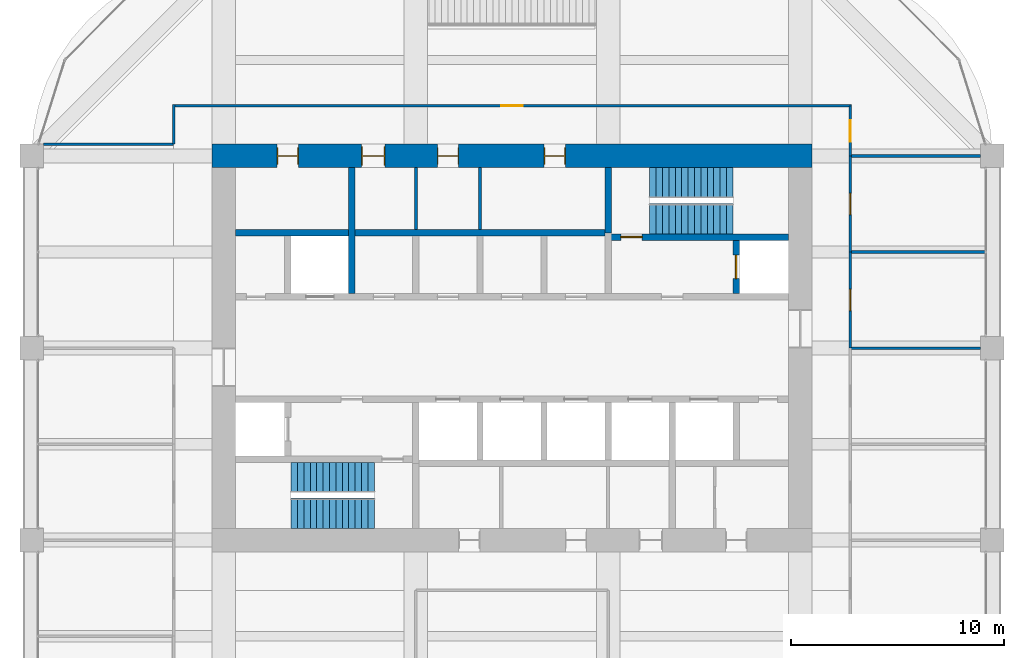
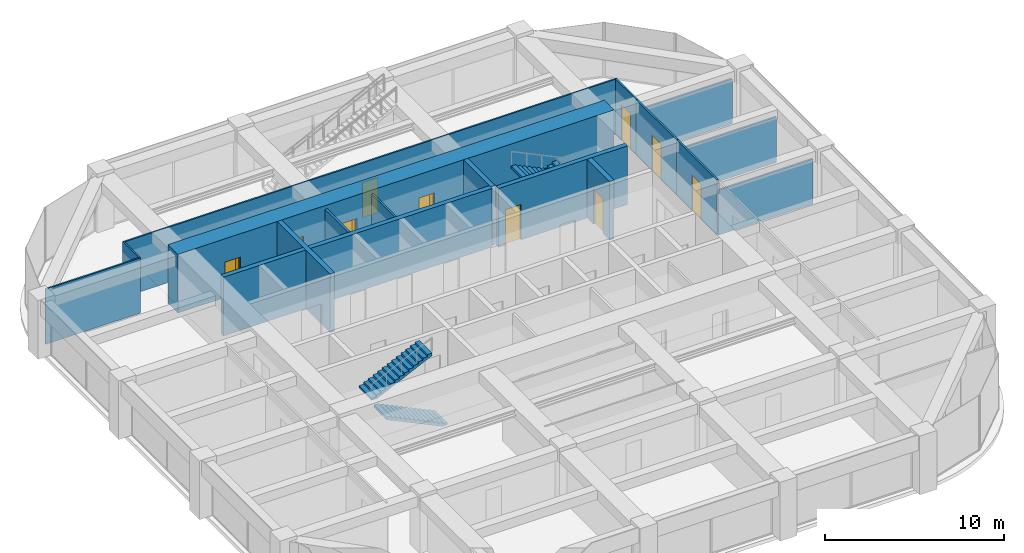
# One storey, part 43 of 45: 17 walls, 10 doors, 4 stair flights, 10 openings, 2 elements without a shape of their own.
"""IFC4 building model written with IfcOpenShell, lengths in metres."""

from ifc_helpers import new_model, si_unit, direction, frame, frame_2d, origin, place, context, subcontext, project, spatial, polyline, rectangle, outline, extrude, material, layer, layer_set, type_object, element, fill, aggregate, save


model = new_model("IFC4")

# Units and contexts
model_context = context("Model", 3, precision=1e-05, world=origin(), true_north=direction((0.0, 1.0)))
body_context = subcontext(model_context, "Body", "Model", "MODEL_VIEW")
ifc_project = project(units=[si_unit("LENGTHUNIT", "METRE"), si_unit("AREAUNIT", "SQUARE_METRE"), si_unit("VOLUMEUNIT", "CUBIC_METRE"), si_unit("PLANEANGLEUNIT", "RADIAN"), si_unit("MASSUNIT", "GRAM", prefix="KILO")], contexts=[model_context])

# Site, building, storey
site_placement = place(None, origin())
site = spatial("IfcSite", under=ifc_project, at=site_placement, CompositionType="ELEMENT")
building_placement = place(site_placement, origin())
building = spatial("IfcBuilding", under=site, at=building_placement, Name="Zorevar Civic Tower", CompositionType="ELEMENT")
storey_placement = place(building_placement, frame((0.0, 0.0, 291.39990234375)))
storey = spatial("IfcBuildingStorey", under=building, at=storey_placement, Name="L71", CompositionType="ELEMENT", Elevation=291.39990234375)

# Wall, openings, doors
ifc_material_1 = material(Name="Concrete C50/60", Category="concrete")
ifc_layer_1 = layer(ifc_material_1, 1.10009765625)
ifc_layer_set_1 = layer_set([ifc_layer_1], Name="Core wall 1100")
wall_type_1 = type_object("IfcWallType", Name="Core wall 1100", PredefinedType="SHEAR", material=ifc_layer_set_1)
wall_1_placement = place(storey_placement, frame((45.550048828125, 36.0, 0.0), z_axis=(0.0, 0.0, 1.0), x_axis=(-1.0, 0.0, 0.0)))
wall_1 = element("IfcWall", 1, at=wall_1_placement, inside=storey, type_object=wall_type_1, Name="Core wall N L71", PredefinedType="SHEAR", context=body_context, shape_type="SweptSolid", body=[
    extrude(rectangle(XDim=28.10009765625, YDim=1.10009765625, at=frame_2d((14.050048828125, 0.0))), origin(), (0.0, 0.0, 1.0), 4.0),
])
opening_1_placement = place(wall_1_placement, frame((11.550048828125, 0.0, 0.0)))
opening_1 = element("IfcOpeningElement", 2, at=opening_1_placement, cuts=wall_1, Name="Opening L71.07", PredefinedType="OPENING", context=body_context, shape_type="SweptSolid", body=[
    extrude(rectangle(XDim=1.0, YDim=2.39990234375, at=frame_2d((0.5, 1.199951171875))), frame((0.0, 0.56005859375, 0.0), z_axis=(0.0, -1.0, 0.0), x_axis=(1.0, 0.0, 0.0)), (0.0, 0.0, 1.0), 1.1201171875),
])
opening_2_placement = place(wall_1_placement, frame((16.550048828125, 0.0, 0.0)))
opening_2 = element("IfcOpeningElement", 3, at=opening_2_placement, cuts=wall_1, Name="Opening L71.08", PredefinedType="OPENING", context=body_context, shape_type="SweptSolid", body=[
    extrude(rectangle(XDim=1.0, YDim=2.39990234375, at=frame_2d((0.5, 1.199951171875))), frame((0.0, 0.56005859375, 0.0), z_axis=(0.0, -1.0, 0.0), x_axis=(1.0, 0.0, 0.0)), (0.0, 0.0, 1.0), 1.1201171875),
])
opening_3_placement = place(wall_1_placement, frame((20.0, 0.0, 0.0)))
opening_3 = element("IfcOpeningElement", 4, at=opening_3_placement, cuts=wall_1, Name="Opening L71.09", PredefinedType="OPENING", context=body_context, shape_type="SweptSolid", body=[
    extrude(rectangle(XDim=1.10009765625, YDim=2.39990234375, at=frame_2d((0.550048828125, 1.199951171875))), frame((0.0, 0.56005859375, 0.0), z_axis=(0.0, -1.0, 0.0), x_axis=(1.0, 0.0, 0.0)), (0.0, 0.0, 1.0), 1.1201171875),
])
opening_4_placement = place(wall_1_placement, frame((24.050048828125, 0.0, 0.0)))
opening_4 = element("IfcOpeningElement", 5, at=opening_4_placement, cuts=wall_1, Name="Opening L71.10", PredefinedType="OPENING", context=body_context, shape_type="SweptSolid", body=[
    extrude(rectangle(XDim=1.0, YDim=2.39990234375, at=frame_2d((0.5, 1.199951171875))), frame((0.0, 0.56005859375, 0.0), z_axis=(0.0, -1.0, 0.0), x_axis=(1.0, 0.0, 0.0)), (0.0, 0.0, 1.0), 1.1201171875),
])
ifc_material_2 = material(Name="Timber door set", Category="wood")
door_type_1 = type_object("IfcDoorType", Name="Door D1 1000x2400", OperationType="SINGLE_SWING_LEFT", PredefinedType="DOOR", material=ifc_material_2)
door_1_placement = place(opening_1_placement, origin())
door_1 = element("IfcDoor", 6, at=door_1_placement, inside=storey, type_object=door_type_1, Name="Door L71 06", OperationType="SINGLE_SWING_LEFT", OverallHeight=2.39990234375, OverallWidth=1.0, PredefinedType="DOOR", context=body_context, shape_type="SweptSolid", body=[
    extrude(rectangle(XDim=1.0, YDim=2.39990234375, at=frame_2d((0.5, 1.199951171875))), frame((0.0, 0.02490234375, 0.0), z_axis=(0.0, -1.0, 0.0), x_axis=(1.0, 0.0, 0.0)), (0.0, 0.0, 1.0), 0.050048828125),
    extrude(rectangle(XDim=0.04, YDim=2.39990234375, at=frame_2d((0.02001953125, 1.199951171875))), frame((0.0, 0.39990234375, 0.0), z_axis=(0.0, -1.0, 0.0), x_axis=(1.0, 0.0, 0.0)), (0.0, 0.0, 1.0), 0.800048828125),
    extrude(rectangle(XDim=0.04, YDim=2.39990234375, at=frame_2d((0.97998046875, 1.199951171875))), frame((0.0, 0.39990234375, 0.0), z_axis=(0.0, -1.0, 0.0), x_axis=(1.0, 0.0, 0.0)), (0.0, 0.0, 1.0), 0.800048828125),
    extrude(rectangle(XDim=1.0, YDim=0.04, at=frame_2d((0.5, 2.3798828125))), frame((0.0, 0.39990234375, 0.0), z_axis=(0.0, -1.0, 0.0), x_axis=(1.0, 0.0, 0.0)), (0.0, 0.0, 1.0), 0.800048828125),
])
fill(opening_1, door_1)
door_2_placement = place(opening_2_placement, origin())
door_2 = element("IfcDoor", 7, at=door_2_placement, inside=storey, type_object=door_type_1, Name="Door L71 07", OperationType="SINGLE_SWING_RIGHT", OverallHeight=2.39990234375, OverallWidth=1.0, PredefinedType="DOOR", context=body_context, shape_type="SweptSolid", body=[
    extrude(rectangle(XDim=1.0, YDim=2.39990234375, at=frame_2d((0.5, 1.199951171875))), frame((0.0, 0.02490234375, 0.0), z_axis=(0.0, -1.0, 0.0), x_axis=(1.0, 0.0, 0.0)), (0.0, 0.0, 1.0), 0.050048828125),
    extrude(rectangle(XDim=0.04, YDim=2.39990234375, at=frame_2d((0.02001953125, 1.199951171875))), frame((0.0, 0.39990234375, 0.0), z_axis=(0.0, -1.0, 0.0), x_axis=(1.0, 0.0, 0.0)), (0.0, 0.0, 1.0), 0.800048828125),
    extrude(rectangle(XDim=0.04, YDim=2.39990234375, at=frame_2d((0.97998046875, 1.199951171875))), frame((0.0, 0.39990234375, 0.0), z_axis=(0.0, -1.0, 0.0), x_axis=(1.0, 0.0, 0.0)), (0.0, 0.0, 1.0), 0.800048828125),
    extrude(rectangle(XDim=1.0, YDim=0.04, at=frame_2d((0.5, 2.3798828125))), frame((0.0, 0.39990234375, 0.0), z_axis=(0.0, -1.0, 0.0), x_axis=(1.0, 0.0, 0.0)), (0.0, 0.0, 1.0), 0.800048828125),
])
fill(opening_2, door_2)
door_3_placement = place(opening_4_placement, origin())
door_3 = element("IfcDoor", 8, at=door_3_placement, inside=storey, type_object=door_type_1, Name="Door L71 09", OperationType="SINGLE_SWING_RIGHT", OverallHeight=2.39990234375, OverallWidth=1.0, PredefinedType="DOOR", context=body_context, shape_type="SweptSolid", body=[
    extrude(rectangle(XDim=1.0, YDim=2.39990234375, at=frame_2d((0.5, 1.199951171875))), frame((0.0, 0.02490234375, 0.0), z_axis=(0.0, -1.0, 0.0), x_axis=(1.0, 0.0, 0.0)), (0.0, 0.0, 1.0), 0.050048828125),
    extrude(rectangle(XDim=0.04, YDim=2.39990234375, at=frame_2d((0.02001953125, 1.199951171875))), frame((0.0, 0.39990234375, 0.0), z_axis=(0.0, -1.0, 0.0), x_axis=(1.0, 0.0, 0.0)), (0.0, 0.0, 1.0), 0.800048828125),
    extrude(rectangle(XDim=0.04, YDim=2.39990234375, at=frame_2d((0.97998046875, 1.199951171875))), frame((0.0, 0.39990234375, 0.0), z_axis=(0.0, -1.0, 0.0), x_axis=(1.0, 0.0, 0.0)), (0.0, 0.0, 1.0), 0.800048828125),
    extrude(rectangle(XDim=1.0, YDim=0.04, at=frame_2d((0.5, 2.3798828125))), frame((0.0, 0.39990234375, 0.0), z_axis=(0.0, -1.0, 0.0), x_axis=(1.0, 0.0, 0.0)), (0.0, 0.0, 1.0), 0.800048828125),
])
fill(opening_4, door_3)
ifc_material_3 = material(Name="Timber door set", Category="wood")
door_type_2 = type_object("IfcDoorType", Name="Door D5 1100x2400", OperationType="SINGLE_SWING_LEFT", PredefinedType="DOOR", material=ifc_material_3)
door_4_placement = place(opening_3_placement, origin())
door_4 = element("IfcDoor", 9, at=door_4_placement, inside=storey, type_object=door_type_2, Name="Door L71 08", OperationType="SINGLE_SWING_RIGHT", OverallHeight=2.39990234375, OverallWidth=1.10009765625, PredefinedType="DOOR", context=body_context, shape_type="SweptSolid", body=[
    extrude(rectangle(XDim=1.10009765625, YDim=2.39990234375, at=frame_2d((0.550048828125, 1.199951171875))), frame((0.0, 0.02490234375, 0.0), z_axis=(0.0, -1.0, 0.0), x_axis=(1.0, 0.0, 0.0)), (0.0, 0.0, 1.0), 0.050048828125),
    extrude(rectangle(XDim=0.04, YDim=2.39990234375, at=frame_2d((0.02001953125, 1.199951171875))), frame((0.0, 0.43994140625, 0.0), z_axis=(0.0, -1.0, 0.0), x_axis=(1.0, 0.0, 0.0)), (0.0, 0.0, 1.0), 0.880126953125),
    extrude(rectangle(XDim=0.04, YDim=2.39990234375, at=frame_2d((1.080078125, 1.199951171875))), frame((0.0, 0.43994140625, 0.0), z_axis=(0.0, -1.0, 0.0), x_axis=(1.0, 0.0, 0.0)), (0.0, 0.0, 1.0), 0.880126953125),
    extrude(rectangle(XDim=1.10009765625, YDim=0.04, at=frame_2d((0.550048828125, 2.3798828125))), frame((0.0, 0.43994140625, 0.0), z_axis=(0.0, -1.0, 0.0), x_axis=(1.0, 0.0, 0.0)), (0.0, 0.0, 1.0), 0.880126953125),
])
fill(opening_3, door_4)

# Wall
ifc_material_4 = material(Name="Laminated glass in black aluminium frame", Category="aluminium")
ifc_layer_2 = layer(ifc_material_4, 0.10009765625)
ifc_layer_set_2 = layer_set([ifc_layer_2], Name="Glazed partition 100")
wall_type_2 = type_object("IfcWallType", Name="Glazed partition 100", PredefinedType="PARTITIONING", material=ifc_layer_set_2)
wall_2_placement = place(storey_placement, frame((9.550048828125, 36.550048828125, 0.0), z_axis=(0.0, 0.0, 1.0), x_axis=(1.0, 0.0, 0.0)))
element("IfcWall", 10, at=wall_2_placement, inside=storey, type_object=wall_type_2, Name="Glazed partition 100 L71", PredefinedType="PARTITIONING", context=body_context, shape_type="SweptSolid", body=[
    extrude(rectangle(XDim=6.099853515625, YDim=0.10009765625, at=frame_2d((3.0498046875, 0.0))), origin(), (0.0, 0.0, 1.0), 3.75),
])

# Wall, opening, door
wall_3_placement = place(storey_placement, frame((15.60009765625, 38.35009765625, 0.0), z_axis=(0.0, 0.0, 1.0), x_axis=(1.0, 0.0, 0.0)))
wall_3 = element("IfcWall", 11, at=wall_3_placement, inside=storey, type_object=wall_type_2, Name="Glazed partition 100 L71", PredefinedType="PARTITIONING", context=body_context, shape_type="SweptSolid", body=[
    extrude(rectangle(XDim=31.7998046875, YDim=0.10009765625, at=frame_2d((15.89990234375, 0.0))), origin(), (0.0, 0.0, 1.0), 3.75),
])
opening_5_placement = place(wall_3_placement, frame((15.39990234375, 0.0, 0.0)))
opening_5 = element("IfcOpeningElement", 12, at=opening_5_placement, cuts=wall_3, Name="Opening L71.22", PredefinedType="OPENING", context=body_context, shape_type="SweptSolid", body=[
    extrude(rectangle(XDim=1.0, YDim=2.39990234375, at=frame_2d((0.5, 1.199951171875))), frame((0.0, 0.06005859375, 0.0), z_axis=(0.0, -1.0, 0.0), x_axis=(1.0, 0.0, 0.0)), (0.0, 0.0, 1.0), 0.1201171875),
])
ifc_material_5 = material(Name="Timber door set", Category="wood")
door_type_3 = type_object("IfcDoorType", Name="Glazed door GD1 1000x2400", OperationType="SINGLE_SWING_LEFT", PredefinedType="DOOR", material=ifc_material_5)
door_5_placement = place(opening_5_placement, origin())
door_5 = element("IfcDoor", 13, at=door_5_placement, inside=storey, type_object=door_type_3, Name="Door L71 D1", OperationType="SINGLE_SWING_RIGHT", OverallHeight=2.39990234375, OverallWidth=1.0, PredefinedType="DOOR", context=body_context, shape_type="SweptSolid", body=[
    extrude(rectangle(XDim=1.0, YDim=2.39990234375, at=frame_2d((0.5, 1.199951171875))), frame((0.0, 0.02001953125, 0.0), z_axis=(0.0, -1.0, 0.0), x_axis=(1.0, 0.0, 0.0)), (0.0, 0.0, 1.0), 0.0400390625),
])
fill(opening_5, door_5)

# Wall
wall_4_placement = place(storey_placement, frame((15.64990234375, 36.550048828125, 0.0), z_axis=(0.0, 0.0, 1.0), x_axis=(0.0, 1.0, 0.0)))
element("IfcWall", 14, at=wall_4_placement, inside=storey, type_object=wall_type_2, Name="Glazed partition 100 L71", PredefinedType="PARTITIONING", context=body_context, shape_type="SweptSolid", body=[
    extrude(rectangle(XDim=1.849853515625, YDim=0.10009765625, at=frame_2d((0.9248046875, 0.0))), origin(), (0.0, 0.0, 1.0), 3.75),
])

# Wall, opening, door
wall_5_placement = place(storey_placement, frame((47.35009765625, 36.0, 0.0), z_axis=(0.0, 0.0, 1.0), x_axis=(0.0, 1.0, 0.0)))
wall_5 = element("IfcWall", 15, at=wall_5_placement, inside=storey, type_object=wall_type_2, Name="Glazed partition 100 L71", PredefinedType="PARTITIONING", context=body_context, shape_type="SweptSolid", body=[
    extrude(rectangle(XDim=2.35009765625, YDim=0.10009765625, at=frame_2d((1.175048828125, 0.0))), origin(), (0.0, 0.0, 1.0), 3.75),
])
opening_6_placement = place(wall_5_placement, frame((0.675048828125, 0.0, 0.0)))
opening_6 = element("IfcOpeningElement", 16, at=opening_6_placement, cuts=wall_5, Name="Opening L71.33", PredefinedType="OPENING", context=body_context, shape_type="SweptSolid", body=[
    extrude(rectangle(XDim=1.0, YDim=2.39990234375, at=frame_2d((0.5, 1.199951171875))), frame((0.0, 0.06005859375, 0.0), z_axis=(0.0, -1.0, 0.0), x_axis=(1.0, 0.0, 0.0)), (0.0, 0.0, 1.0), 0.1201171875),
])
door_6_placement = place(opening_6_placement, origin())
door_6 = element("IfcDoor", 17, at=door_6_placement, inside=storey, type_object=door_type_3, Name="Door L71 D1", OperationType="SINGLE_SWING_LEFT", OverallHeight=2.39990234375, OverallWidth=1.0, PredefinedType="DOOR", context=body_context, shape_type="SweptSolid", body=[
    extrude(rectangle(XDim=1.0, YDim=2.39990234375, at=frame_2d((0.5, 1.199951171875))), frame((0.0, 0.02001953125, 0.0), z_axis=(0.0, -1.0, 0.0), x_axis=(1.0, 0.0, 0.0)), (0.0, 0.0, 1.0), 0.0400390625),
])
fill(opening_6, door_6)

ifc_material_6 = material(Name="Concrete C40/50", Category="concrete")
ifc_layer_3 = layer(ifc_material_6, 0.300048828125)
ifc_layer_set_3 = layer_set([ifc_layer_3], Name="Inner core wall 300")
wall_type_3 = type_object("IfcWallType", Name="Inner core wall 300", PredefinedType="SHEAR", material=ifc_layer_set_3)
wall_6_placement = place(storey_placement, frame((36.14990234375, 32.199951171875, 0.0), z_axis=(0.0, 0.0, 1.0), x_axis=(1.0, 0.0, 0.0)))
wall_6 = element("IfcWall", 18, at=wall_6_placement, inside=storey, type_object=wall_type_3, Name="Inner core wall N00 L71", PredefinedType="SHEAR", context=body_context, shape_type="SweptSolid", body=[
    extrude(rectangle(XDim=8.300048828125, YDim=0.300048828125, at=frame_2d((4.14990234375, 0.0))), origin(), (0.0, 0.0, 1.0), 4.0),
])
opening_7_placement = place(wall_6_placement, frame((0.449951171875, 0.0, 0.0)))
opening_7 = element("IfcOpeningElement", 19, at=opening_7_placement, cuts=wall_6, Name="Opening L71.12", PredefinedType="OPENING", context=body_context, shape_type="SweptSolid", body=[
    extrude(rectangle(XDim=1.0, YDim=2.39990234375, at=frame_2d((0.5, 1.199951171875))), frame((0.0, 0.159912109375, 0.0), z_axis=(0.0, -1.0, 0.0), x_axis=(1.0, 0.0, 0.0)), (0.0, 0.0, 1.0), 0.320068359375),
])
ifc_material_7 = material(Name="Steel door set", Category="steel")
door_type_4 = type_object("IfcDoorType", Name="Fire door FD1 1000x2400", OperationType="SINGLE_SWING_LEFT", PredefinedType="DOOR", material=ifc_material_7)
door_7_placement = place(opening_7_placement, origin())
door_7 = element("IfcDoor", 20, at=door_7_placement, inside=storey, type_object=door_type_4, Name="Door L71 11", OperationType="SINGLE_SWING_RIGHT", OverallHeight=2.39990234375, OverallWidth=1.0, PredefinedType="DOOR", context=body_context, shape_type="SweptSolid", body=[
    extrude(rectangle(XDim=1.0, YDim=2.39990234375, at=frame_2d((0.5, 1.199951171875))), frame((0.0, 0.030029296875, 0.0), z_axis=(0.0, -1.0, 0.0), x_axis=(1.0, 0.0, 0.0)), (0.0, 0.0, 1.0), 0.06005859375),
])
fill(opening_7, door_7)

# Wall
wall_7_placement = place(storey_placement, frame((36.0, 32.39990234375, 0.0), z_axis=(0.0, 0.0, 1.0), x_axis=(0.0, 1.0, 0.0)))
element("IfcWall", 21, at=wall_7_placement, inside=storey, type_object=wall_type_3, Name="Inner core wall N01 L71", PredefinedType="SHEAR", context=body_context, shape_type="SweptSolid", body=[
    extrude(rectangle(XDim=3.050048828125, YDim=0.300048828125, at=frame_2d((1.52490234375, 0.0))), origin(), (0.0, 0.0, 1.0), 4.0),
])

# Wall, opening, door
wall_8_placement = place(storey_placement, frame((42.0, 29.550048828125, 0.0), z_axis=(0.0, 0.0, 1.0), x_axis=(0.0, 1.0, 0.0)))
wall_8 = element("IfcWall", 22, at=wall_8_placement, inside=storey, type_object=wall_type_3, Name="Inner core wall N02 L71", PredefinedType="SHEAR", context=body_context, shape_type="SweptSolid", body=[
    extrude(rectangle(XDim=2.5, YDim=0.300048828125, at=frame_2d((1.25, 0.0))), origin(), (0.0, 0.0, 1.0), 4.0),
])
opening_8_placement = place(wall_8_placement, frame((0.699951171875, 0.0, 0.0)))
opening_8 = element("IfcOpeningElement", 23, at=opening_8_placement, cuts=wall_8, Name="Opening L71.FL2", PredefinedType="OPENING", context=body_context, shape_type="SweptSolid", body=[
    extrude(rectangle(XDim=1.10009765625, YDim=2.39990234375, at=frame_2d((0.550048828125, 1.199951171875))), frame((0.0, 0.159912109375, 0.0), z_axis=(0.0, -1.0, 0.0), x_axis=(1.0, 0.0, 0.0)), (0.0, 0.0, 1.0), 0.320068359375),
])
ifc_material_8 = material(Name="Steel door set", Category="steel")
door_type_5 = type_object("IfcDoorType", Name="Firefighting lift landing door LD3 1100x2400", OperationType="DOUBLE_DOOR_SLIDING", PredefinedType="DOOR", material=ifc_material_8)
door_8_placement = place(opening_8_placement, origin())
door_8 = element("IfcDoor", 24, at=door_8_placement, inside=storey, type_object=door_type_5, Name="Landing door FL2 L71", OperationType="DOUBLE_DOOR_SLIDING", OverallHeight=2.39990234375, OverallWidth=1.10009765625, PredefinedType="DOOR", context=body_context, shape_type="SweptSolid", body=[
    extrude(rectangle(XDim=1.10009765625, YDim=2.39990234375, at=frame_2d((0.550048828125, 1.199951171875))), frame((0.0, 0.030029296875, 0.0), z_axis=(0.0, -1.0, 0.0), x_axis=(1.0, 0.0, 0.0)), (0.0, 0.0, 1.0), 0.06005859375),
])
fill(opening_8, door_8)

# Walls
wall_9_placement = place(storey_placement, frame((18.550048828125, 32.39990234375, 0.0), z_axis=(0.0, 0.0, 1.0), x_axis=(1.0, 0.0, 0.0)))
element("IfcWall", 25, at=wall_9_placement, inside=storey, type_object=wall_type_3, Name="Inner core wall N04 L71", PredefinedType="SHEAR", context=body_context, shape_type="SweptSolid", body=[
    extrude(rectangle(XDim=17.300048828125, YDim=0.300048828125, at=frame_2d((8.64990234375, 0.0))), origin(), (0.0, 0.0, 1.0), 4.0),
])
wall_10_placement = place(storey_placement, frame((24.0, 29.550048828125, 0.0), z_axis=(0.0, 0.0, 1.0), x_axis=(0.0, 1.0, 0.0)))
element("IfcWall", 26, at=wall_10_placement, inside=storey, type_object=wall_type_3, Name="Inner core wall N08 L71", PredefinedType="SHEAR", context=body_context, shape_type="SweptSolid", body=[
    extrude(rectangle(XDim=5.89990234375, YDim=0.300048828125, at=frame_2d((2.949951171875, 0.0))), origin(), (0.0, 0.0, 1.0), 4.0),
])
ifc_material_9 = material(Name="Gypsum board on steel studs", Category="steel")
ifc_layer_4 = layer(ifc_material_9, 0.1201171875)
ifc_layer_set_4 = layer_set([ifc_layer_4], Name="Partition 120")
wall_type_4 = type_object("IfcWallType", Name="Partition 120", PredefinedType="PARTITIONING", material=ifc_layer_set_4)
wall_11_placement = place(storey_placement, frame((47.35009765625, 27.0, 0.0), z_axis=(0.0, 0.0, 1.0), x_axis=(1.0, 0.0, 0.0)))
element("IfcWall", 27, at=wall_11_placement, inside=storey, type_object=wall_type_4, Name="Partition 120 L71", PredefinedType="PARTITIONING", context=body_context, shape_type="SweptSolid", body=[
    extrude(rectangle(XDim=6.099853515625, YDim=0.1201171875, at=frame_2d((3.0498046875, 0.0))), origin(), (0.0, 0.0, 1.0), 3.050048828125),
])
wall_12_placement = place(storey_placement, frame((47.35009765625, 31.5, 0.0), z_axis=(0.0, 0.0, 1.0), x_axis=(1.0, 0.0, 0.0)))
element("IfcWall", 28, at=wall_12_placement, inside=storey, type_object=wall_type_4, Name="Partition 120 L71", PredefinedType="PARTITIONING", context=body_context, shape_type="SweptSolid", body=[
    extrude(rectangle(XDim=6.33984375, YDim=0.1201171875, at=frame_2d((3.169921875, 0.0))), origin(), (0.0, 0.0, 1.0), 3.10009765625),
])
wall_13_placement = place(storey_placement, frame((47.35009765625, 36.0, 0.0), z_axis=(0.0, 0.0, 1.0), x_axis=(1.0, 0.0, 0.0)))
element("IfcWall", 29, at=wall_13_placement, inside=storey, type_object=wall_type_4, Name="Partition 120 L71", PredefinedType="PARTITIONING", context=body_context, shape_type="SweptSolid", body=[
    extrude(rectangle(XDim=6.099853515625, YDim=0.1201171875, at=frame_2d((3.0498046875, 0.0))), origin(), (0.0, 0.0, 1.0), 3.050048828125),
])

# Wall, opening, door
wall_14_placement = place(storey_placement, frame((47.35009765625, 27.0, 0.0), z_axis=(0.0, 0.0, 1.0), x_axis=(0.0, 1.0, 0.0)))
wall_14 = element("IfcWall", 30, at=wall_14_placement, inside=storey, type_object=wall_type_4, Name="Partition 120 L71", PredefinedType="PARTITIONING", context=body_context, shape_type="SweptSolid", body=[
    extrude(rectangle(XDim=4.5, YDim=0.1201171875, at=frame_2d((2.25, 0.0))), origin(), (0.0, 0.0, 1.0), 3.75),
])
opening_9_placement = place(wall_14_placement, frame((1.75, 0.0, 0.0)))
opening_9 = element("IfcOpeningElement", 31, at=opening_9_placement, cuts=wall_14, Name="Opening L71.31", PredefinedType="OPENING", context=body_context, shape_type="SweptSolid", body=[
    extrude(rectangle(XDim=1.0, YDim=2.39990234375, at=frame_2d((0.5, 1.199951171875))), frame((0.0, 0.070068359375, 0.0), z_axis=(0.0, -1.0, 0.0), x_axis=(1.0, 0.0, 0.0)), (0.0, 0.0, 1.0), 0.14013671875),
])
door_9_placement = place(opening_9_placement, origin())
door_9 = element("IfcDoor", 32, at=door_9_placement, inside=storey, type_object=door_type_1, Name="Door L71 D1", OperationType="SINGLE_SWING_LEFT", OverallHeight=2.39990234375, OverallWidth=1.0, PredefinedType="DOOR", context=body_context, shape_type="SweptSolid", body=[
    extrude(rectangle(XDim=1.0, YDim=2.39990234375, at=frame_2d((0.5, 1.199951171875))), frame((0.0, 0.02490234375, 0.0), z_axis=(0.0, -1.0, 0.0), x_axis=(1.0, 0.0, 0.0)), (0.0, 0.0, 1.0), 0.050048828125),
])
fill(opening_9, door_9)

wall_15_placement = place(storey_placement, frame((47.35009765625, 31.5, 0.0), z_axis=(0.0, 0.0, 1.0), x_axis=(0.0, 1.0, 0.0)))
wall_15 = element("IfcWall", 33, at=wall_15_placement, inside=storey, type_object=wall_type_4, Name="Partition 120 L71", PredefinedType="PARTITIONING", context=body_context, shape_type="SweptSolid", body=[
    extrude(rectangle(XDim=4.5, YDim=0.1201171875, at=frame_2d((2.25, 0.0))), origin(), (0.0, 0.0, 1.0), 3.75),
])
opening_10_placement = place(wall_15_placement, frame((1.75, 0.0, 0.0)))
opening_10 = element("IfcOpeningElement", 34, at=opening_10_placement, cuts=wall_15, Name="Opening L71.32", PredefinedType="OPENING", context=body_context, shape_type="SweptSolid", body=[
    extrude(rectangle(XDim=1.0, YDim=2.39990234375, at=frame_2d((0.5, 1.199951171875))), frame((0.0, 0.070068359375, 0.0), z_axis=(0.0, -1.0, 0.0), x_axis=(1.0, 0.0, 0.0)), (0.0, 0.0, 1.0), 0.14013671875),
])
door_10_placement = place(opening_10_placement, origin())
door_10 = element("IfcDoor", 35, at=door_10_placement, inside=storey, type_object=door_type_1, Name="Door L71 D1", OperationType="SINGLE_SWING_LEFT", OverallHeight=2.39990234375, OverallWidth=1.0, PredefinedType="DOOR", context=body_context, shape_type="SweptSolid", body=[
    extrude(rectangle(XDim=1.0, YDim=2.39990234375, at=frame_2d((0.5, 1.199951171875))), frame((0.0, 0.02490234375, 0.0), z_axis=(0.0, -1.0, 0.0), x_axis=(1.0, 0.0, 0.0)), (0.0, 0.0, 1.0), 0.050048828125),
])
fill(opening_10, door_10)

# Walls
wall_16_placement = place(storey_placement, frame((30.0, 32.550048828125, 0.0), z_axis=(0.0, 0.0, 1.0), x_axis=(0.0, 1.0, 0.0)))
element("IfcWall", 36, at=wall_16_placement, inside=storey, type_object=wall_type_4, Name="Partition L71", PredefinedType="PARTITIONING", context=body_context, shape_type="SweptSolid", body=[
    extrude(rectangle(XDim=2.89990234375, YDim=0.1201171875, at=frame_2d((1.449951171875, 0.0))), origin(), (0.0, 0.0, 1.0), 3.75),
])
ifc_material_10 = material(Name="Gypsum board on steel studs, moisture resistant", Category="steel")
ifc_layer_5 = layer(ifc_material_10, 0.14990234375)
ifc_layer_set_5 = layer_set([ifc_layer_5], Name="WC partition 150")
wall_type_5 = type_object("IfcWallType", Name="WC partition 150", PredefinedType="PARTITIONING", material=ifc_layer_set_5)
wall_17_placement = place(storey_placement, frame((27.0, 32.550048828125, 0.0), z_axis=(0.0, 0.0, 1.0), x_axis=(0.0, 1.0, 0.0)))
element("IfcWall", 37, at=wall_17_placement, inside=storey, type_object=wall_type_5, Name="WC partition L71", PredefinedType="PARTITIONING", context=body_context, shape_type="SweptSolid", body=[
    extrude(rectangle(XDim=2.89990234375, YDim=0.14990234375, at=frame_2d((1.449951171875, 0.0))), origin(), (0.0, 0.0, 1.0), 3.75),
])

# Stair, stair flights
ifc_material_11 = material(Name="Precast concrete C40/50", Category="concrete")
stair_type = type_object("IfcStairType", Name="Stair ST 28R", PredefinedType="HALF_TURN_STAIR", material=ifc_material_11)
stair_1_placement = place(storey_placement, origin())
stair_1 = element("IfcStair", 38, at=stair_1_placement, inside=storey, type_object=stair_type, Name="Stair ST1 L71", PredefinedType="HALF_TURN_STAIR")
ifc_material_12 = material(Name="Precast concrete C40/50", Category="concrete")
stair_flight_type = type_object("IfcStairFlightType", Name="Stair flight", PredefinedType="STRAIGHT", material=ifc_material_12)
stair_flight_1_placement = place(storey_placement, frame((25.050048828125, 19.262451171875, 0.0), z_axis=(0.0, 0.0, 1.0), x_axis=(-1.0, 0.0, 0.0)))
stair_flight_1 = element("IfcStairFlight", 39, at=stair_flight_1_placement, type_object=stair_flight_type, Name="ST1 flight 1", NumberOfRisers=14, NumberOfTreads=13, PredefinedType="STRAIGHT", RiserHeight=0.142857143, TreadLength=0.3, context=body_context, shape_type="SweptSolid", body=[
    extrude(outline(polyline([(0.0, 0.0), (0.0, 0.142822265625), (0.300048828125, 0.142822265625), (0.300048828125, 0.28564453125), (0.60009765625, 0.28564453125), (0.60009765625, 0.428466796875), (0.89990234375, 0.428466796875), (0.89990234375, 0.571533203125), (1.199951171875, 0.571533203125), (1.199951171875, 0.71435546875), (1.5, 0.71435546875), (1.5, 0.857177734375), (1.800048828125, 0.857177734375), (1.800048828125, 1.0), (2.10009765625, 1.0), (2.10009765625, 1.142822265625), (2.39990234375, 1.142822265625), (2.39990234375, 1.28564453125), (2.699951171875, 1.28564453125), (2.699951171875, 1.428466796875), (3.0, 1.428466796875), (3.0, 1.571533203125), (3.300048828125, 1.571533203125), (3.300048828125, 1.71435546875), (3.60009765625, 1.71435546875), (3.60009765625, 1.857177734375), (3.89990234375, 1.857177734375), (3.89990234375, 2.0), (3.89990234375, 1.691162109375), (0.3486328125, 0.0), (0.0, 0.0)])), frame((0.0, 0.71240234375, 0.0), z_axis=(0.0, -1.0, 0.0), x_axis=(1.0, 0.0, 0.0)), (0.0, 0.0, 1.0), 1.425048828125),
])
stair_flight_2_placement = place(storey_placement, frame((21.14990234375, 20.9375, 2.0), z_axis=(0.0, 0.0, 1.0), x_axis=(1.0, 0.0, 0.0)))
stair_flight_2 = element("IfcStairFlight", 40, at=stair_flight_2_placement, type_object=stair_flight_type, Name="ST1 flight 2", NumberOfRisers=14, NumberOfTreads=13, PredefinedType="STRAIGHT", RiserHeight=0.142857143, TreadLength=0.3, context=body_context, shape_type="SweptSolid", body=[
    extrude(outline(polyline([(0.0, 0.0), (0.0, 0.142822265625), (0.300048828125, 0.142822265625), (0.300048828125, 0.28564453125), (0.60009765625, 0.28564453125), (0.60009765625, 0.428466796875), (0.89990234375, 0.428466796875), (0.89990234375, 0.571533203125), (1.199951171875, 0.571533203125), (1.199951171875, 0.71435546875), (1.5, 0.71435546875), (1.5, 0.857177734375), (1.800048828125, 0.857177734375), (1.800048828125, 1.0), (2.10009765625, 1.0), (2.10009765625, 1.142822265625), (2.39990234375, 1.142822265625), (2.39990234375, 1.28564453125), (2.699951171875, 1.28564453125), (2.699951171875, 1.428466796875), (3.0, 1.428466796875), (3.0, 1.571533203125), (3.300048828125, 1.571533203125), (3.300048828125, 1.71435546875), (3.60009765625, 1.71435546875), (3.60009765625, 1.857177734375), (3.89990234375, 1.857177734375), (3.89990234375, 2.0), (3.89990234375, 1.691162109375), (0.3486328125, 0.0), (0.0, 0.0)])), frame((0.0, 0.71240234375, 0.0), z_axis=(0.0, -1.0, 0.0), x_axis=(1.0, 0.0, 0.0)), (0.0, 0.0, 1.0), 1.425048828125),
])
aggregate(stair_1, [stair_flight_1, stair_flight_2])

stair_2_placement = place(storey_placement, origin())
stair_2 = element("IfcStair", 41, at=stair_2_placement, inside=storey, type_object=stair_type, Name="Stair ST2 L71", PredefinedType="HALF_TURN_STAIR")
stair_flight_3_placement = place(storey_placement, frame((37.949951171875, 34.737548828125, 0.0), z_axis=(0.0, 0.0, 1.0), x_axis=(1.0, 0.0, 0.0)))
stair_flight_3 = element("IfcStairFlight", 42, at=stair_flight_3_placement, type_object=stair_flight_type, Name="ST2 flight 1", NumberOfRisers=14, NumberOfTreads=13, PredefinedType="STRAIGHT", RiserHeight=0.142857143, TreadLength=0.3, context=body_context, shape_type="SweptSolid", body=[
    extrude(outline(polyline([(0.0, 0.0), (0.0, 0.142822265625), (0.300048828125, 0.142822265625), (0.300048828125, 0.28564453125), (0.60009765625, 0.28564453125), (0.60009765625, 0.428466796875), (0.89990234375, 0.428466796875), (0.89990234375, 0.571533203125), (1.199951171875, 0.571533203125), (1.199951171875, 0.71435546875), (1.5, 0.71435546875), (1.5, 0.857177734375), (1.800048828125, 0.857177734375), (1.800048828125, 1.0), (2.10009765625, 1.0), (2.10009765625, 1.142822265625), (2.39990234375, 1.142822265625), (2.39990234375, 1.28564453125), (2.699951171875, 1.28564453125), (2.699951171875, 1.428466796875), (3.0, 1.428466796875), (3.0, 1.571533203125), (3.300048828125, 1.571533203125), (3.300048828125, 1.71435546875), (3.60009765625, 1.71435546875), (3.60009765625, 1.857177734375), (3.89990234375, 1.857177734375), (3.89990234375, 2.0), (3.89990234375, 1.691162109375), (0.3486328125, 0.0), (0.0, 0.0)])), frame((0.0, 0.71240234375, 0.0), z_axis=(0.0, -1.0, 0.0), x_axis=(1.0, 0.0, 0.0)), (0.0, 0.0, 1.0), 1.425048828125),
])
stair_flight_4_placement = place(storey_placement, frame((41.85009765625, 33.0625, 2.0), z_axis=(0.0, 0.0, 1.0), x_axis=(-1.0, 0.0, 0.0)))
stair_flight_4 = element("IfcStairFlight", 43, at=stair_flight_4_placement, type_object=stair_flight_type, Name="ST2 flight 2", NumberOfRisers=14, NumberOfTreads=13, PredefinedType="STRAIGHT", RiserHeight=0.142857143, TreadLength=0.3, context=body_context, shape_type="SweptSolid", body=[
    extrude(outline(polyline([(0.0, 0.0), (0.0, 0.142822265625), (0.300048828125, 0.142822265625), (0.300048828125, 0.28564453125), (0.60009765625, 0.28564453125), (0.60009765625, 0.428466796875), (0.89990234375, 0.428466796875), (0.89990234375, 0.571533203125), (1.199951171875, 0.571533203125), (1.199951171875, 0.71435546875), (1.5, 0.71435546875), (1.5, 0.857177734375), (1.800048828125, 0.857177734375), (1.800048828125, 1.0), (2.10009765625, 1.0), (2.10009765625, 1.142822265625), (2.39990234375, 1.142822265625), (2.39990234375, 1.28564453125), (2.699951171875, 1.28564453125), (2.699951171875, 1.428466796875), (3.0, 1.428466796875), (3.0, 1.571533203125), (3.300048828125, 1.571533203125), (3.300048828125, 1.71435546875), (3.60009765625, 1.71435546875), (3.60009765625, 1.857177734375), (3.89990234375, 1.857177734375), (3.89990234375, 2.0), (3.89990234375, 1.691162109375), (0.3486328125, 0.0), (0.0, 0.0)])), frame((0.0, 0.71240234375, 0.0), z_axis=(0.0, -1.0, 0.0), x_axis=(1.0, 0.0, 0.0)), (0.0, 0.0, 1.0), 1.425048828125),
])
aggregate(stair_2, [stair_flight_3, stair_flight_4])

save(model, "model.ifc")
